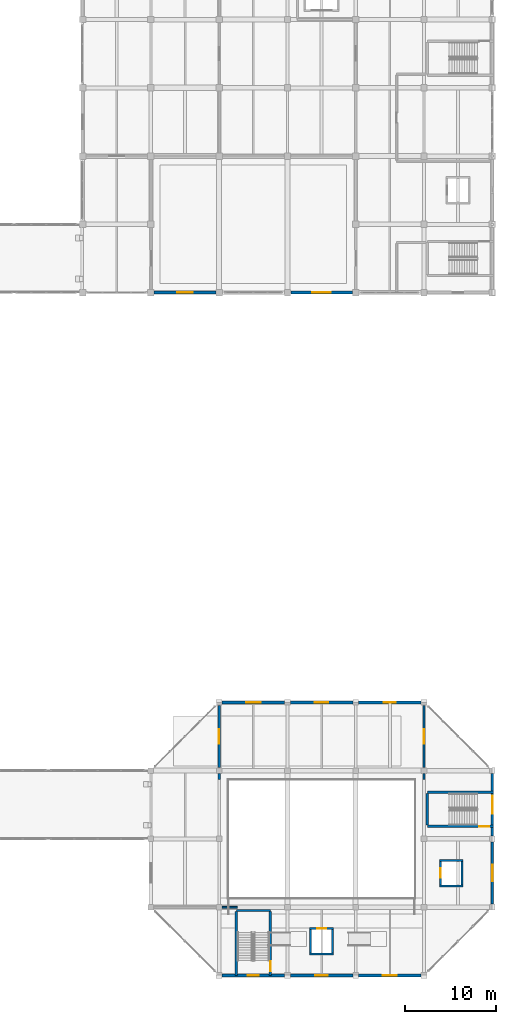
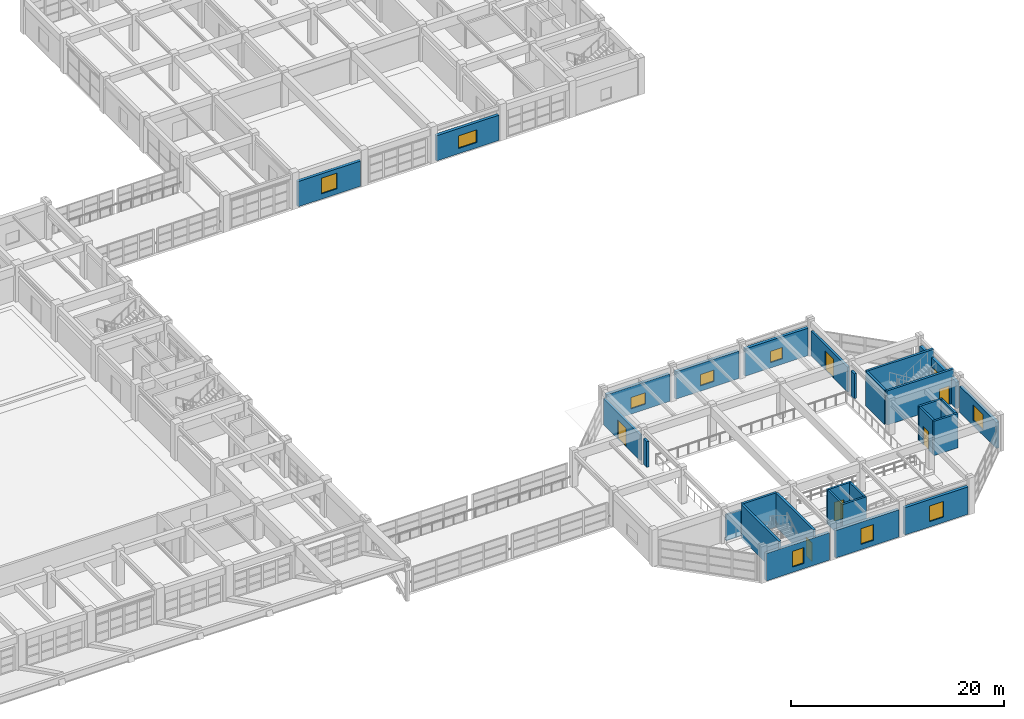
# One storey, part 107 of 132: 29 walls, 10 windows, 6 doors, 16 openings.
"""IFC4 building model written with IfcOpenShell, lengths in metres."""

from ifc_helpers import new_model, si_unit, direction, frame, frame_2d, origin, place, context, subcontext, project, spatial, rectangle, extrude, material, layer, layer_set, type_object, element, fill, save


model = new_model("IFC4")

# Units and contexts
model_context = context("Model", 3, precision=1e-05, world=origin(), true_north=direction((0.0, 1.0)))
body_context = subcontext(model_context, "Body", "Model", "MODEL_VIEW")
ifc_project = project(units=[si_unit("LENGTHUNIT", "METRE"), si_unit("AREAUNIT", "SQUARE_METRE"), si_unit("VOLUMEUNIT", "CUBIC_METRE"), si_unit("PLANEANGLEUNIT", "RADIAN"), si_unit("MASSUNIT", "GRAM", prefix="KILO")], contexts=[model_context])

# Site, building, storey
site_placement = place(None, origin())
site = spatial("IfcSite", under=ifc_project, at=site_placement, CompositionType="ELEMENT")
building_placement = place(site_placement, origin())
building = spatial("IfcBuilding", under=site, at=building_placement, Name="Qasida Concert Hall", CompositionType="ELEMENT")
storey_placement = place(building_placement, frame((0.0, 0.0, 4.800048828125)))
storey = spatial("IfcBuildingStorey", under=building, at=storey_placement, Name="L01", CompositionType="ELEMENT", Elevation=4.800048828125)

# Wall
ifc_material_1 = material(Name="Concrete C40/50", Category="concrete")
ifc_layer_1 = layer(ifc_material_1, 0.219970703125, Name="Concrete C40/50")
ifc_layer_set_1 = layer_set([ifc_layer_1], Name="Concrete C40/50")
wall_type_1 = type_object("IfcWallType", Name="WL-CW-220", PredefinedType="SOLIDWALL", material=ifc_layer_set_1)
wall_1_placement = place(storey_placement, frame((144.93994140625, 2.35009765625, 0.0), z_axis=(0.0, 0.0, 1.0), x_axis=(1.0, 0.0, 0.0)))
element("IfcWall", 1, at=wall_1_placement, inside=storey, type_object=wall_type_1, Name="L01 LF-11 lift shaft wall S", PredefinedType="SOLIDWALL", context=body_context, shape_type="SweptSolid", body=[
    extrude(rectangle(XDim=2.6201171875, YDim=0.219970703125, at=frame_2d((1.31005859375, 0.0))), origin(), (0.0, 0.0, 1.0), 3.919921875),
])

# Wall, opening, door
wall_2_placement = place(storey_placement, frame((144.93994140625, 5.14990234375, 0.0), z_axis=(0.0, 0.0, 1.0), x_axis=(1.0, 0.0, 0.0)))
wall_2 = element("IfcWall", 2, at=wall_2_placement, inside=storey, type_object=wall_type_1, Name="L01 LF-11 lift shaft wall N", PredefinedType="SOLIDWALL", context=body_context, shape_type="SweptSolid", body=[
    extrude(rectangle(XDim=2.6201171875, YDim=0.219970703125, at=frame_2d((1.31005859375, 0.0))), origin(), (0.0, 0.0, 1.0), 3.919921875),
])
opening_1_placement = place(wall_2_placement, frame((0.81005859375, 0.0, 0.0)))
opening_1 = element("IfcOpeningElement", 3, at=opening_1_placement, cuts=wall_2, Name="Opening LD-100", PredefinedType="OPENING", context=body_context, shape_type="SweptSolid", body=[
    extrude(rectangle(XDim=1.0, YDim=2.14990234375, at=frame_2d((0.5, 1.074951171875))), frame((0.0, 0.119873046875, 0.0), z_axis=(0.0, -1.0, 0.0), x_axis=(1.0, 0.0, 0.0)), (0.0, 0.0, 1.0), 0.239990234375),
])
ifc_material_2 = material(Name="Brushed bronze passenger lift landing door", Category="steel")
door_type_1 = type_object("IfcDoorType", Name="LD-100", OperationType="SLIDING_TO_LEFT", PredefinedType="DOOR", material=ifc_material_2)
door_1_placement = place(opening_1_placement, origin())
door_1 = element("IfcDoor", 4, at=door_1_placement, inside=storey, type_object=door_type_1, Name="Lift landing door LF-11 L01", OperationType="SLIDING_TO_LEFT", OverallHeight=2.14990234375, OverallWidth=1.0, PredefinedType="DOOR", context=body_context, shape_type="SweptSolid", body=[
    extrude(rectangle(XDim=1.0, YDim=2.14990234375, at=frame_2d((0.5, 1.074951171875))), frame((0.0, 0.02490234375, 0.0), z_axis=(0.0, -1.0, 0.0), x_axis=(1.0, 0.0, 0.0)), (0.0, 0.0, 1.0), 0.050048828125),
])
fill(opening_1, door_1)

# Walls
for number, where, z_axis, x_axis, name in (
    (5, (145.050048828125, 2.4599609375, 0.0), (0.0, 0.0, 1.0), (0.0, 1.0, 0.0), "L01 LF-11 lift shaft wall W"),
    (6, (147.449951171875, 2.4599609375, 0.0), (0.0, 0.0, 1.0), (0.0, 1.0, 0.0), "L01 LF-11 lift shaft wall E"),
):
    element("IfcWall", number, at=place(storey_placement, frame(where, z_axis=z_axis, x_axis=x_axis)), inside=storey, type_object=wall_type_1, Name=name, PredefinedType="SOLIDWALL", context=body_context, shape_type="SweptSolid", body=[
        extrude(rectangle(XDim=2.580078125, YDim=0.219970703125, at=frame_2d((1.2900390625, 0.0))), origin(), (0.0, 0.0, 1.0), 3.919921875),
    ])
for number, where, z_axis, x_axis, name in (
    (7, (159.18994140625, 9.85009765625, 0.0), (0.0, 0.0, 1.0), (1.0, 0.0, 0.0), "L01 LF-12 lift shaft wall S"),
    (8, (159.18994140625, 12.64990234375, 0.0), (0.0, 0.0, 1.0), (1.0, 0.0, 0.0), "L01 LF-12 lift shaft wall N"),
):
    element("IfcWall", number, at=place(storey_placement, frame(where, z_axis=z_axis, x_axis=x_axis)), inside=storey, type_object=wall_type_1, Name=name, PredefinedType="SOLIDWALL", context=body_context, shape_type="SweptSolid", body=[
        extrude(rectangle(XDim=2.6201171875, YDim=0.219970703125, at=frame_2d((1.31005859375, 0.0))), origin(), (0.0, 0.0, 1.0), 3.919921875),
    ])

# Wall, opening, door
wall_3_placement = place(storey_placement, frame((159.300048828125, 9.9599609375, 0.0), z_axis=(0.0, 0.0, 1.0), x_axis=(0.0, 1.0, 0.0)))
wall_3 = element("IfcWall", 9, at=wall_3_placement, inside=storey, type_object=wall_type_1, Name="L01 LF-12 lift shaft wall W", PredefinedType="SOLIDWALL", context=body_context, shape_type="SweptSolid", body=[
    extrude(rectangle(XDim=2.580078125, YDim=0.219970703125, at=frame_2d((1.2900390625, 0.0))), origin(), (0.0, 0.0, 1.0), 3.919921875),
])
opening_2_placement = place(wall_3_placement, frame((0.7900390625, 0.0, 0.0)))
opening_2 = element("IfcOpeningElement", 10, at=opening_2_placement, cuts=wall_3, Name="Opening LD-100", PredefinedType="OPENING", context=body_context, shape_type="SweptSolid", body=[
    extrude(rectangle(XDim=1.0, YDim=2.14990234375, at=frame_2d((0.5, 1.074951171875))), frame((0.0, 0.119873046875, 0.0), z_axis=(0.0, -1.0, 0.0), x_axis=(1.0, 0.0, 0.0)), (0.0, 0.0, 1.0), 0.239990234375),
])
door_2_placement = place(opening_2_placement, origin())
door_2 = element("IfcDoor", 11, at=door_2_placement, inside=storey, type_object=door_type_1, Name="Lift landing door LF-12 L01", OperationType="SLIDING_TO_LEFT", OverallHeight=2.14990234375, OverallWidth=1.0, PredefinedType="DOOR", context=body_context, shape_type="SweptSolid", body=[
    extrude(rectangle(XDim=1.0, YDim=2.14990234375, at=frame_2d((0.5, 1.074951171875))), frame((0.0, 0.02490234375, 0.0), z_axis=(0.0, -1.0, 0.0), x_axis=(1.0, 0.0, 0.0)), (0.0, 0.0, 1.0), 0.050048828125),
])
fill(opening_2, door_2)

# Walls
wall_4_placement = place(storey_placement, frame((161.699951171875, 9.9599609375, 0.0), z_axis=(0.0, 0.0, 1.0), x_axis=(0.0, 1.0, 0.0)))
element("IfcWall", 12, at=wall_4_placement, inside=storey, type_object=wall_type_1, Name="L01 LF-12 lift shaft wall E", PredefinedType="SOLIDWALL", context=body_context, shape_type="SweptSolid", body=[
    extrude(rectangle(XDim=2.580078125, YDim=0.219970703125, at=frame_2d((1.2900390625, 0.0))), origin(), (0.0, 0.0, 1.0), 3.919921875),
])
ifc_layer_2 = layer(ifc_material_1, 0.25, Name="Concrete C40/50")
ifc_layer_set_2 = layer_set([ifc_layer_2], Name="Concrete C40/50")
wall_type_2 = type_object("IfcWallType", Name="WL-CW-250", PredefinedType="SOLIDWALL", material=ifc_layer_set_2)
wall_5_placement = place(storey_placement, frame((136.8798828125, 7.14501953125, 0.0), z_axis=(0.0, 0.0, 1.0), x_axis=(1.0, 0.0, 0.0)))
element("IfcWall", 13, at=wall_5_placement, inside=storey, type_object=wall_type_2, Name="L01 ST-09 stairwell wall N", PredefinedType="SOLIDWALL", context=body_context, shape_type="SweptSolid", body=[
    extrude(rectangle(XDim=3.740234375, YDim=0.25, at=frame_2d((1.8701171875, 0.0))), origin(), (0.0, 0.0, 1.0), 3.919921875),
])
wall_6_placement = place(storey_placement, frame((136.875, 0.0, 0.0), z_axis=(0.0, 0.0, 1.0), x_axis=(0.0, 1.0, 0.0)))
element("IfcWall", 14, at=wall_6_placement, inside=storey, type_object=wall_type_2, Name="L01 ST-09 stairwell wall W", PredefinedType="SOLIDWALL", context=body_context, shape_type="SweptSolid", body=[
    extrude(rectangle(XDim=7.02001953125, YDim=0.25, at=frame_2d((3.510009765625, 0.0))), origin(), (0.0, 0.0, 1.0), 3.919921875),
])

# Wall, opening, door
wall_7_placement = place(storey_placement, frame((140.625, 0.0, 0.0), z_axis=(0.0, 0.0, 1.0), x_axis=(0.0, 1.0, 0.0)))
wall_7 = element("IfcWall", 15, at=wall_7_placement, inside=storey, type_object=wall_type_2, Name="L01 ST-09 stairwell wall E", PredefinedType="SOLIDWALL", context=body_context, shape_type="SweptSolid", body=[
    extrude(rectangle(XDim=7.02001953125, YDim=0.25, at=frame_2d((3.510009765625, 0.0))), origin(), (0.0, 0.0, 1.0), 3.919921875),
])
opening_3_placement = place(wall_7_placement, frame((0.449951171875, 0.0, 0.0)))
opening_3 = element("IfcOpeningElement", 16, at=opening_3_placement, cuts=wall_7, Name="Opening FD-110", PredefinedType="OPENING", context=body_context, shape_type="SweptSolid", body=[
    extrude(rectangle(XDim=1.10009765625, YDim=2.14990234375, at=frame_2d((0.550048828125, 1.074951171875))), frame((0.0, 0.135009765625, 0.0), z_axis=(0.0, -1.0, 0.0), x_axis=(1.0, 0.0, 0.0)), (0.0, 0.0, 1.0), 0.27001953125),
])
ifc_material_3 = material(Name="Steel fire-rated stair/lobby door set", Category="steel")
door_type_2 = type_object("IfcDoorType", Name="FD-110", OperationType="NOTDEFINED", PredefinedType="DOOR", material=ifc_material_3)
door_3_placement = place(opening_3_placement, origin())
door_3 = element("IfcDoor", 17, at=door_3_placement, inside=storey, type_object=door_type_2, Name="L01 ST-09 rated stair door", OperationType="SINGLE_SWING_RIGHT", OverallHeight=2.14990234375, OverallWidth=1.10009765625, PredefinedType="DOOR", context=body_context, shape_type="SweptSolid", body=[
    extrude(rectangle(XDim=1.10009765625, YDim=2.14990234375, at=frame_2d((0.550048828125, 1.074951171875))), frame((0.0, 0.02490234375, 0.0), z_axis=(0.0, -1.0, 0.0), x_axis=(1.0, 0.0, 0.0)), (0.0, 0.0, 1.0), 0.050048828125),
])
fill(opening_3, door_3)

wall_8_placement = place(storey_placement, frame((157.860107421875, 16.375, 0.0), z_axis=(0.0, 0.0, 1.0), x_axis=(1.0, 0.0, 0.0)))
wall_8 = element("IfcWall", 18, at=wall_8_placement, inside=storey, type_object=wall_type_2, Name="L01 ST-10 stairwell wall S", PredefinedType="SOLIDWALL", context=body_context, shape_type="SweptSolid", body=[
    extrude(rectangle(XDim=7.260009765625, YDim=0.25, at=frame_2d((3.6298828125, 0.0))), origin(), (0.0, 0.0, 1.0), 3.919921875),
])
opening_4_placement = place(wall_8_placement, frame((5.7099609375, 0.0, 0.0)))
opening_4 = element("IfcOpeningElement", 19, at=opening_4_placement, cuts=wall_8, Name="Opening FD-110", PredefinedType="OPENING", context=body_context, shape_type="SweptSolid", body=[
    extrude(rectangle(XDim=1.10009765625, YDim=2.14990234375, at=frame_2d((0.550048828125, 1.074951171875))), frame((0.0, 0.135009765625, 0.0), z_axis=(0.0, -1.0, 0.0), x_axis=(1.0, 0.0, 0.0)), (0.0, 0.0, 1.0), 0.27001953125),
])
door_4_placement = place(opening_4_placement, origin())
door_4 = element("IfcDoor", 20, at=door_4_placement, inside=storey, type_object=door_type_2, Name="L01 ST-10 rated stair door", OperationType="SINGLE_SWING_LEFT", OverallHeight=2.14990234375, OverallWidth=1.10009765625, PredefinedType="DOOR", context=body_context, shape_type="SweptSolid", body=[
    extrude(rectangle(XDim=1.10009765625, YDim=2.14990234375, at=frame_2d((0.550048828125, 1.074951171875))), frame((0.0, 0.02490234375, 0.0), z_axis=(0.0, -1.0, 0.0), x_axis=(1.0, 0.0, 0.0)), (0.0, 0.0, 1.0), 0.050048828125),
])
fill(opening_4, door_4)

# Walls
wall_9_placement = place(storey_placement, frame((157.860107421875, 20.125, 0.0), z_axis=(0.0, 0.0, 1.0), x_axis=(1.0, 0.0, 0.0)))
element("IfcWall", 21, at=wall_9_placement, inside=storey, type_object=wall_type_2, Name="L01 ST-10 stairwell wall N", PredefinedType="SOLIDWALL", context=body_context, shape_type="SweptSolid", body=[
    extrude(rectangle(XDim=7.260009765625, YDim=0.25, at=frame_2d((3.6298828125, 0.0))), origin(), (0.0, 0.0, 1.0), 3.919921875),
])
wall_10_placement = place(storey_placement, frame((157.85498046875, 16.5, 0.0), z_axis=(0.0, 0.0, 1.0), x_axis=(0.0, 1.0, 0.0)))
element("IfcWall", 22, at=wall_10_placement, inside=storey, type_object=wall_type_2, Name="L01 ST-10 stairwell wall W", PredefinedType="SOLIDWALL", context=body_context, shape_type="SweptSolid", body=[
    extrude(rectangle(XDim=3.5, YDim=0.25, at=frame_2d((1.75, 0.0))), origin(), (0.0, 0.0, 1.0), 3.919921875),
])

# Wall, opening, window
ifc_material_4 = material(Name="Precast concrete C40/50", Category="concrete")
ifc_layer_3 = layer(ifc_material_4, 0.320068359375, Name="Precast concrete C40/50")
ifc_layer_set_3 = layer_set([ifc_layer_3], Name="Precast concrete C40/50")
wall_type_3 = type_object("IfcWallType", Name="WL-EW-320", PredefinedType="SOLIDWALL", material=ifc_layer_set_3)
wall_11_placement = place(storey_placement, frame((135.324951171875, 0.0, 0.0), z_axis=(0.0, 0.0, 1.0), x_axis=(1.0, 0.0, 0.0)))
wall_11 = element("IfcWall", 23, at=wall_11_placement, inside=storey, type_object=wall_type_3, Name="L01 exterior wall EW-320 0155", PredefinedType="SOLIDWALL", context=body_context, shape_type="SweptSolid", body=[
    extrude(rectangle(XDim=6.85009765625, YDim=0.320068359375, at=frame_2d((3.425048828125, 0.0))), origin(), (0.0, 0.0, 1.0), 3.139892578125),
])
opening_5_placement = place(wall_11_placement, frame((2.800048828125, 0.0, 0.60009765625)))
opening_5 = element("IfcOpeningElement", 24, at=opening_5_placement, cuts=wall_11, Name="Opening WN-02", PredefinedType="OPENING", context=body_context, shape_type="SweptSolid", body=[
    extrude(rectangle(XDim=1.25, YDim=1.800048828125, at=frame_2d((0.625, 0.89990234375))), frame((0.0, 0.169921875, 0.0), z_axis=(0.0, -1.0, 0.0), x_axis=(1.0, 0.0, 0.0)), (0.0, 0.0, 1.0), 0.340087890625),
])
ifc_material_5 = material(Name="Bronze-anodized aluminium frame with acoustic low-E glazing", Category="aluminium")
window_type_1 = type_object("IfcWindowType", Name="WN-02", PartitioningType="SINGLE_PANEL", PredefinedType="WINDOW", material=ifc_material_5)
window_1_placement = place(opening_5_placement, origin())
window_1 = element("IfcWindow", 25, at=window_1_placement, inside=storey, type_object=window_type_1, Name="L01 window WN-02 0065", OverallHeight=1.800048828125, OverallWidth=1.25, PartitioningType="SINGLE_PANEL", PredefinedType="WINDOW", context=body_context, shape_type="SweptSolid", body=[
    extrude(rectangle(XDim=1.25, YDim=1.800048828125, at=frame_2d((0.625, 0.89990234375))), frame((0.0, 0.030029296875, 0.0), z_axis=(0.0, -1.0, 0.0), x_axis=(1.0, 0.0, 0.0)), (0.0, 0.0, 1.0), 0.06005859375),
])
fill(opening_5, window_1)

wall_12_placement = place(storey_placement, frame((142.824951171875, 0.0, 0.0), z_axis=(0.0, 0.0, 1.0), x_axis=(1.0, 0.0, 0.0)))
wall_12 = element("IfcWall", 26, at=wall_12_placement, inside=storey, type_object=wall_type_3, Name="L01 exterior wall EW-320 0156", PredefinedType="SOLIDWALL", context=body_context, shape_type="SweptSolid", body=[
    extrude(rectangle(XDim=6.85009765625, YDim=0.320068359375, at=frame_2d((3.425048828125, 0.0))), origin(), (0.0, 0.0, 1.0), 3.139892578125),
])
opening_6_placement = place(wall_12_placement, frame((2.72509765625, 0.0, 0.60009765625)))
opening_6 = element("IfcOpeningElement", 27, at=opening_6_placement, cuts=wall_12, Name="Opening WN-03", PredefinedType="OPENING", context=body_context, shape_type="SweptSolid", body=[
    extrude(rectangle(XDim=1.39990234375, YDim=1.800048828125, at=frame_2d((0.699951171875, 0.89990234375))), frame((0.0, 0.169921875, 0.0), z_axis=(0.0, -1.0, 0.0), x_axis=(1.0, 0.0, 0.0)), (0.0, 0.0, 1.0), 0.340087890625),
])
window_type_2 = type_object("IfcWindowType", Name="WN-03", PartitioningType="SINGLE_PANEL", PredefinedType="WINDOW", material=ifc_material_5)
window_2_placement = place(opening_6_placement, origin())
window_2 = element("IfcWindow", 28, at=window_2_placement, inside=storey, type_object=window_type_2, Name="L01 window WN-03 0066", OverallHeight=1.800048828125, OverallWidth=1.39990234375, PartitioningType="SINGLE_PANEL", PredefinedType="WINDOW", context=body_context, shape_type="SweptSolid", body=[
    extrude(rectangle(XDim=1.39990234375, YDim=1.800048828125, at=frame_2d((0.699951171875, 0.89990234375))), frame((0.0, 0.030029296875, 0.0), z_axis=(0.0, -1.0, 0.0), x_axis=(1.0, 0.0, 0.0)), (0.0, 0.0, 1.0), 0.06005859375),
])
fill(opening_6, window_2)

wall_13_placement = place(storey_placement, frame((150.324951171875, 0.0, 0.0), z_axis=(0.0, 0.0, 1.0), x_axis=(1.0, 0.0, 0.0)))
wall_13 = element("IfcWall", 29, at=wall_13_placement, inside=storey, type_object=wall_type_3, Name="L01 exterior wall EW-320 0157", PredefinedType="SOLIDWALL", context=body_context, shape_type="SweptSolid", body=[
    extrude(rectangle(XDim=6.85009765625, YDim=0.320068359375, at=frame_2d((3.425048828125, 0.0))), origin(), (0.0, 0.0, 1.0), 3.139892578125),
])
opening_7_placement = place(wall_13_placement, frame((2.64990234375, 0.0, 0.60009765625)))
opening_7 = element("IfcOpeningElement", 30, at=opening_7_placement, cuts=wall_13, Name="Opening WN-04", PredefinedType="OPENING", context=body_context, shape_type="SweptSolid", body=[
    extrude(rectangle(XDim=1.550048828125, YDim=1.800048828125, at=frame_2d((0.77490234375, 0.89990234375))), frame((0.0, 0.169921875, 0.0), z_axis=(0.0, -1.0, 0.0), x_axis=(1.0, 0.0, 0.0)), (0.0, 0.0, 1.0), 0.340087890625),
])
window_type_3 = type_object("IfcWindowType", Name="WN-04", PartitioningType="SINGLE_PANEL", PredefinedType="WINDOW", material=ifc_material_5)
window_3_placement = place(opening_7_placement, origin())
window_3 = element("IfcWindow", 31, at=window_3_placement, inside=storey, type_object=window_type_3, Name="L01 window WN-04 0067", OverallHeight=1.800048828125, OverallWidth=1.550048828125, PartitioningType="SINGLE_PANEL", PredefinedType="WINDOW", context=body_context, shape_type="SweptSolid", body=[
    extrude(rectangle(XDim=1.550048828125, YDim=1.800048828125, at=frame_2d((0.77490234375, 0.89990234375))), frame((0.0, 0.030029296875, 0.0), z_axis=(0.0, -1.0, 0.0), x_axis=(1.0, 0.0, 0.0)), (0.0, 0.0, 1.0), 0.06005859375),
])
fill(opening_7, window_3)

wall_14_placement = place(storey_placement, frame((165.0, 7.824951171875, 0.0), z_axis=(0.0, 0.0, 1.0), x_axis=(0.0, 1.0, 0.0)))
wall_14 = element("IfcWall", 32, at=wall_14_placement, inside=storey, type_object=wall_type_3, Name="L01 exterior wall EW-320 0158", PredefinedType="SOLIDWALL", context=body_context, shape_type="SweptSolid", body=[
    extrude(rectangle(XDim=6.85009765625, YDim=0.320068359375, at=frame_2d((3.425048828125, 0.0))), origin(), (0.0, 0.0, 1.0), 2.989990234375),
])
opening_8_placement = place(wall_14_placement, frame((2.5, 0.0, 0.60009765625)))
opening_8 = element("IfcOpeningElement", 33, at=opening_8_placement, cuts=wall_14, Name="Opening WN-06", PredefinedType="OPENING", context=body_context, shape_type="SweptSolid", body=[
    extrude(rectangle(XDim=1.85009765625, YDim=1.800048828125, at=frame_2d((0.925048828125, 0.89990234375))), frame((0.0, 0.169921875, 0.0), z_axis=(0.0, -1.0, 0.0), x_axis=(1.0, 0.0, 0.0)), (0.0, 0.0, 1.0), 0.340087890625),
])
window_type_4 = type_object("IfcWindowType", Name="WN-06", PartitioningType="SINGLE_PANEL", PredefinedType="WINDOW", material=ifc_material_5)
window_4_placement = place(opening_8_placement, origin())
window_4 = element("IfcWindow", 34, at=window_4_placement, inside=storey, type_object=window_type_4, Name="L01 window WN-06 0068", OverallHeight=1.800048828125, OverallWidth=1.85009765625, PartitioningType="SINGLE_PANEL", PredefinedType="WINDOW", context=body_context, shape_type="SweptSolid", body=[
    extrude(rectangle(XDim=1.85009765625, YDim=1.800048828125, at=frame_2d((0.925048828125, 0.89990234375))), frame((0.0, 0.030029296875, 0.0), z_axis=(0.0, -1.0, 0.0), x_axis=(1.0, 0.0, 0.0)), (0.0, 0.0, 1.0), 0.06005859375),
])
fill(opening_8, window_4)

wall_15_placement = place(storey_placement, frame((165.0, 15.324951171875, 0.0), z_axis=(0.0, 0.0, 1.0), x_axis=(0.0, 1.0, 0.0)))
wall_15 = element("IfcWall", 35, at=wall_15_placement, inside=storey, type_object=wall_type_3, Name="L01 exterior wall EW-320 0159", PredefinedType="SOLIDWALL", context=body_context, shape_type="SweptSolid", body=[
    extrude(rectangle(XDim=6.860107421875, YDim=0.320068359375, at=frame_2d((3.43017578125, 0.0))), origin(), (0.0, 0.0, 1.0), 3.0400390625),
])
opening_9_placement = place(wall_15_placement, frame((2.425048828125, 0.0, 0.60009765625)))
opening_9 = element("IfcOpeningElement", 36, at=opening_9_placement, cuts=wall_15, Name="Opening WN-07", PredefinedType="OPENING", context=body_context, shape_type="SweptSolid", body=[
    extrude(rectangle(XDim=2.0, YDim=1.449951171875, at=frame_2d((1.0, 0.72509765625))), frame((0.0, 0.169921875, 0.0), z_axis=(0.0, -1.0, 0.0), x_axis=(1.0, 0.0, 0.0)), (0.0, 0.0, 1.0), 0.340087890625),
])
window_type_5 = type_object("IfcWindowType", Name="WN-07", PartitioningType="SINGLE_PANEL", PredefinedType="WINDOW", material=ifc_material_5)
window_5_placement = place(opening_9_placement, origin())
window_5 = element("IfcWindow", 37, at=window_5_placement, inside=storey, type_object=window_type_5, Name="L01 window WN-07 0069", OverallHeight=1.449951171875, OverallWidth=2.0, PartitioningType="SINGLE_PANEL", PredefinedType="WINDOW", context=body_context, shape_type="SweptSolid", body=[
    extrude(rectangle(XDim=2.0, YDim=1.449951171875, at=frame_2d((1.0, 0.72509765625))), frame((0.0, 0.030029296875, 0.0), z_axis=(0.0, -1.0, 0.0), x_axis=(1.0, 0.0, 0.0)), (0.0, 0.0, 1.0), 0.06005859375),
])
fill(opening_9, window_5)

wall_16_placement = place(storey_placement, frame((157.175048828125, 30.0, 0.0), z_axis=(0.0, 0.0, 1.0), x_axis=(-1.0, 0.0, 0.0)))
wall_16 = element("IfcWall", 38, at=wall_16_placement, inside=storey, type_object=wall_type_3, Name="L01 exterior wall EW-320 0160", PredefinedType="SOLIDWALL", context=body_context, shape_type="SweptSolid", body=[
    extrude(rectangle(XDim=6.85009765625, YDim=0.320068359375, at=frame_2d((3.425048828125, 0.0))), origin(), (0.0, 0.0, 1.0), 3.139892578125),
])
opening_10_placement = place(wall_16_placement, frame((2.77490234375, 0.0, 0.60009765625)))
opening_10 = element("IfcOpeningElement", 39, at=opening_10_placement, cuts=wall_16, Name="Opening WN-10", PredefinedType="OPENING", context=body_context, shape_type="SweptSolid", body=[
    extrude(rectangle(XDim=1.300048828125, YDim=1.300048828125, at=frame_2d((0.64990234375, 0.64990234375))), frame((0.0, 0.169921875, 0.0), z_axis=(0.0, -1.0, 0.0), x_axis=(1.0, 0.0, 0.0)), (0.0, 0.0, 1.0), 0.340087890625),
])
window_type_6 = type_object("IfcWindowType", Name="WN-10", PartitioningType="SINGLE_PANEL", PredefinedType="WINDOW", material=ifc_material_5)
window_6_placement = place(opening_10_placement, origin())
window_6 = element("IfcWindow", 40, at=window_6_placement, inside=storey, type_object=window_type_6, Name="L01 window WN-10 0070", OverallHeight=1.300048828125, OverallWidth=1.300048828125, PartitioningType="SINGLE_PANEL", PredefinedType="WINDOW", context=body_context, shape_type="SweptSolid", body=[
    extrude(rectangle(XDim=1.300048828125, YDim=1.300048828125, at=frame_2d((0.64990234375, 0.64990234375))), frame((0.0, 0.030029296875, 0.0), z_axis=(0.0, -1.0, 0.0), x_axis=(1.0, 0.0, 0.0)), (0.0, 0.0, 1.0), 0.06005859375),
])
fill(opening_10, window_6)

wall_17_placement = place(storey_placement, frame((149.675048828125, 30.0, 0.0), z_axis=(0.0, 0.0, 1.0), x_axis=(-1.0, 0.0, 0.0)))
wall_17 = element("IfcWall", 41, at=wall_17_placement, inside=storey, type_object=wall_type_3, Name="L01 exterior wall EW-320 0161", PredefinedType="SOLIDWALL", context=body_context, shape_type="SweptSolid", body=[
    extrude(rectangle(XDim=6.85009765625, YDim=0.320068359375, at=frame_2d((3.425048828125, 0.0))), origin(), (0.0, 0.0, 1.0), 3.139892578125),
])
opening_11_placement = place(wall_17_placement, frame((2.699951171875, 0.0, 0.60009765625)))
opening_11 = element("IfcOpeningElement", 42, at=opening_11_placement, cuts=wall_17, Name="Opening WN-11", PredefinedType="OPENING", context=body_context, shape_type="SweptSolid", body=[
    extrude(rectangle(XDim=1.449951171875, YDim=1.300048828125, at=frame_2d((0.72509765625, 0.64990234375))), frame((0.0, 0.169921875, 0.0), z_axis=(0.0, -1.0, 0.0), x_axis=(1.0, 0.0, 0.0)), (0.0, 0.0, 1.0), 0.340087890625),
])
window_type_7 = type_object("IfcWindowType", Name="WN-11", PartitioningType="SINGLE_PANEL", PredefinedType="WINDOW", material=ifc_material_5)
window_7_placement = place(opening_11_placement, origin())
window_7 = element("IfcWindow", 43, at=window_7_placement, inside=storey, type_object=window_type_7, Name="L01 window WN-11 0071", OverallHeight=1.300048828125, OverallWidth=1.449951171875, PartitioningType="SINGLE_PANEL", PredefinedType="WINDOW", context=body_context, shape_type="SweptSolid", body=[
    extrude(rectangle(XDim=1.449951171875, YDim=1.300048828125, at=frame_2d((0.72509765625, 0.64990234375))), frame((0.0, 0.030029296875, 0.0), z_axis=(0.0, -1.0, 0.0), x_axis=(1.0, 0.0, 0.0)), (0.0, 0.0, 1.0), 0.06005859375),
])
fill(opening_11, window_7)

wall_18_placement = place(storey_placement, frame((142.175048828125, 30.0, 0.0), z_axis=(0.0, 0.0, 1.0), x_axis=(-1.0, 0.0, 0.0)))
wall_18 = element("IfcWall", 44, at=wall_18_placement, inside=storey, type_object=wall_type_3, Name="L01 exterior wall EW-320 0162", PredefinedType="SOLIDWALL", context=body_context, shape_type="SweptSolid", body=[
    extrude(rectangle(XDim=6.85009765625, YDim=0.320068359375, at=frame_2d((3.425048828125, 0.0))), origin(), (0.0, 0.0, 1.0), 3.139892578125),
])
opening_12_placement = place(wall_18_placement, frame((2.625, 0.0, 0.60009765625)))
opening_12 = element("IfcOpeningElement", 45, at=opening_12_placement, cuts=wall_18, Name="Opening WN-12", PredefinedType="OPENING", context=body_context, shape_type="SweptSolid", body=[
    extrude(rectangle(XDim=1.60009765625, YDim=1.300048828125, at=frame_2d((0.800048828125, 0.64990234375))), frame((0.0, 0.169921875, 0.0), z_axis=(0.0, -1.0, 0.0), x_axis=(1.0, 0.0, 0.0)), (0.0, 0.0, 1.0), 0.340087890625),
])
window_type_8 = type_object("IfcWindowType", Name="WN-12", PartitioningType="SINGLE_PANEL", PredefinedType="WINDOW", material=ifc_material_5)
window_8_placement = place(opening_12_placement, origin())
window_8 = element("IfcWindow", 46, at=window_8_placement, inside=storey, type_object=window_type_8, Name="L01 window WN-12 0072", OverallHeight=1.300048828125, OverallWidth=1.60009765625, PartitioningType="SINGLE_PANEL", PredefinedType="WINDOW", context=body_context, shape_type="SweptSolid", body=[
    extrude(rectangle(XDim=1.60009765625, YDim=1.300048828125, at=frame_2d((0.800048828125, 0.64990234375))), frame((0.0, 0.030029296875, 0.0), z_axis=(0.0, -1.0, 0.0), x_axis=(1.0, 0.0, 0.0)), (0.0, 0.0, 1.0), 0.06005859375),
])
fill(opening_12, window_8)

wall_19_placement = place(storey_placement, frame((127.85498046875, 75.0, 0.0), z_axis=(0.0, 0.0, 1.0), x_axis=(1.0, 0.0, 0.0)))
wall_19 = element("IfcWall", 47, at=wall_19_placement, inside=storey, type_object=wall_type_3, Name="L01 exterior wall EW-320 0186", PredefinedType="SOLIDWALL", context=body_context, shape_type="SweptSolid", body=[
    extrude(rectangle(XDim=6.780029296875, YDim=0.320068359375, at=frame_2d((3.39013671875, 0.0))), origin(), (0.0, 0.0, 1.0), 2.889892578125),
])
opening_13_placement = place(wall_19_placement, frame((2.544921875, 0.0, 0.60009765625)))
opening_13 = element("IfcOpeningElement", 48, at=opening_13_placement, cuts=wall_19, Name="Opening WN-05", PredefinedType="OPENING", context=body_context, shape_type="SweptSolid", body=[
    extrude(rectangle(XDim=1.699951171875, YDim=1.800048828125, at=frame_2d((0.85009765625, 0.89990234375))), frame((0.0, 0.169921875, 0.0), z_axis=(0.0, -1.0, 0.0), x_axis=(1.0, 0.0, 0.0)), (0.0, 0.0, 1.0), 0.340087890625),
])
window_type_9 = type_object("IfcWindowType", Name="WN-05", PartitioningType="SINGLE_PANEL", PredefinedType="WINDOW", material=ifc_material_5)
window_9_placement = place(opening_13_placement, origin())
window_9 = element("IfcWindow", 49, at=window_9_placement, inside=storey, type_object=window_type_9, Name="L01 window WN-05 0091", OverallHeight=1.800048828125, OverallWidth=1.699951171875, PartitioningType="SINGLE_PANEL", PredefinedType="WINDOW", context=body_context, shape_type="SweptSolid", body=[
    extrude(rectangle(XDim=1.699951171875, YDim=1.800048828125, at=frame_2d((0.85009765625, 0.89990234375))), frame((0.0, 0.030029296875, 0.0), z_axis=(0.0, -1.0, 0.0), x_axis=(1.0, 0.0, 0.0)), (0.0, 0.0, 1.0), 0.06005859375),
])
fill(opening_13, window_9)

wall_20_placement = place(storey_placement, frame((142.864990234375, 75.0, 0.0), z_axis=(0.0, 0.0, 1.0), x_axis=(1.0, 0.0, 0.0)))
wall_20 = element("IfcWall", 50, at=wall_20_placement, inside=storey, type_object=wall_type_3, Name="L01 exterior wall EW-320 0189", PredefinedType="SOLIDWALL", context=body_context, shape_type="SweptSolid", body=[
    extrude(rectangle(XDim=6.77001953125, YDim=0.320068359375, at=frame_2d((3.385009765625, 0.0))), origin(), (0.0, 0.0, 1.0), 2.889892578125),
])
opening_14_placement = place(wall_20_placement, frame((2.385009765625, 0.0, 0.60009765625)))
opening_14 = element("IfcOpeningElement", 51, at=opening_14_placement, cuts=wall_20, Name="Opening WN-07", PredefinedType="OPENING", context=body_context, shape_type="SweptSolid", body=[
    extrude(rectangle(XDim=2.0, YDim=1.449951171875, at=frame_2d((1.0, 0.72509765625))), frame((0.0, 0.169921875, 0.0), z_axis=(0.0, -1.0, 0.0), x_axis=(1.0, 0.0, 0.0)), (0.0, 0.0, 1.0), 0.340087890625),
])
window_10_placement = place(opening_14_placement, origin())
window_10 = element("IfcWindow", 52, at=window_10_placement, inside=storey, type_object=window_type_5, Name="L01 window WN-07 0094", OverallHeight=1.449951171875, OverallWidth=2.0, PartitioningType="SINGLE_PANEL", PredefinedType="WINDOW", context=body_context, shape_type="SweptSolid", body=[
    extrude(rectangle(XDim=2.0, YDim=1.449951171875, at=frame_2d((1.0, 0.72509765625))), frame((0.0, 0.030029296875, 0.0), z_axis=(0.0, -1.0, 0.0), x_axis=(1.0, 0.0, 0.0)), (0.0, 0.0, 1.0), 0.06005859375),
])
fill(opening_14, window_10)

# Walls
ifc_material_6 = material(Name="Acoustic gypsum block and mineral wool", Category="gypsum")
ifc_layer_4 = layer(ifc_material_6, 0.199951171875, Name="Acoustic gypsum block and mineral wool")
ifc_layer_set_4 = layer_set([ifc_layer_4], Name="Acoustic gypsum block and mineral wool")
wall_type_4 = type_object("IfcWallType", Name="WL-PW-200", PredefinedType="PARTITIONING", material=ifc_layer_set_4)
wall_21_placement = place(storey_placement, frame((135.323974609375, 7.5, 0.0), z_axis=(0.0, 0.0, 1.0), x_axis=(1.0, 0.0, 0.0)))
element("IfcWall", 53, at=wall_21_placement, inside=storey, type_object=wall_type_4, Name="L01 partition PW-200 0593", PredefinedType="PARTITIONING", context=body_context, shape_type="SweptSolid", body=[
    extrude(rectangle(XDim=1.676025390625, YDim=0.199951171875, at=frame_2d((0.837890625, 0.0))), origin(), (0.0, 0.0, 1.0), 2.989990234375),
])
ifc_material_7 = material(Name="Double-stud acoustic gypsum and mineral wool", Category="gypsum")
ifc_layer_5 = layer(ifc_material_7, 0.239990234375, Name="Double-stud acoustic gypsum and mineral wool")
ifc_layer_set_5 = layer_set([ifc_layer_5], Name="Double-stud acoustic gypsum and mineral wool")
wall_type_5 = type_object("IfcWallType", Name="WL-PW-240", PredefinedType="PARTITIONING", material=ifc_layer_set_5)
wall_22_placement = place(storey_placement, frame((135.0, 21.5400390625, 0.0), z_axis=(0.0, 0.0, 1.0), x_axis=(0.0, 1.0, 0.0)))
element("IfcWall", 54, at=wall_22_placement, inside=storey, type_object=wall_type_5, Name="L01 partition PW-240 0594", PredefinedType="PARTITIONING", context=body_context, shape_type="SweptSolid", body=[
    extrude(rectangle(XDim=0.635986328125, YDim=0.239990234375, at=frame_2d((0.31787109375, 0.0))), origin(), (0.0, 0.0, 1.0), 2.93994140625),
])

# Wall, opening, door
wall_23_placement = place(storey_placement, frame((135.0, 22.823974609375, 0.0), z_axis=(0.0, 0.0, 1.0), x_axis=(0.0, 1.0, 0.0)))
wall_23 = element("IfcWall", 55, at=wall_23_placement, inside=storey, type_object=wall_type_5, Name="L01 partition PW-240 0595", PredefinedType="PARTITIONING", context=body_context, shape_type="SweptSolid", body=[
    extrude(rectangle(XDim=6.85205078125, YDim=0.239990234375, at=frame_2d((3.426025390625, 0.0))), origin(), (0.0, 0.0, 1.0), 2.93994140625),
])
opening_15_placement = place(wall_23_placement, frame((2.6259765625, 0.0, 0.0)))
opening_15 = element("IfcOpeningElement", 56, at=opening_15_placement, cuts=wall_23, Name="Opening AD-160", PredefinedType="OPENING", context=body_context, shape_type="SweptSolid", body=[
    extrude(rectangle(XDim=1.60009765625, YDim=2.159912109375, at=frame_2d((0.800048828125, 1.080078125))), frame((0.0, 0.1298828125, 0.0), z_axis=(0.0, -1.0, 0.0), x_axis=(1.0, 0.0, 0.0)), (0.0, 0.0, 1.0), 0.260009765625),
])
ifc_material_8 = material(Name="Double-seal Rw 50 dB rehearsal hall door", Category="wood")
door_type_3 = type_object("IfcDoorType", Name="AD-160", OperationType="NOTDEFINED", PredefinedType="DOOR", material=ifc_material_8)
door_5_placement = place(opening_15_placement, origin())
door_5 = element("IfcDoor", 57, at=door_5_placement, inside=storey, type_object=door_type_3, Name="L01 Chamber north balcony west door", OperationType="SINGLE_SWING_RIGHT", OverallHeight=2.159912109375, OverallWidth=1.60009765625, PredefinedType="DOOR", context=body_context, shape_type="SweptSolid", body=[
    extrude(rectangle(XDim=1.60009765625, YDim=2.159912109375, at=frame_2d((0.800048828125, 1.080078125))), frame((0.0, 0.02490234375, 0.0), z_axis=(0.0, -1.0, 0.0), x_axis=(1.0, 0.0, 0.0)), (0.0, 0.0, 1.0), 0.050048828125),
])
fill(opening_15, door_5)

# Wall
wall_24_placement = place(storey_placement, frame((157.5, 21.5400390625, 0.0), z_axis=(0.0, 0.0, 1.0), x_axis=(0.0, 1.0, 0.0)))
element("IfcWall", 58, at=wall_24_placement, inside=storey, type_object=wall_type_5, Name="L01 partition PW-240 0596", PredefinedType="PARTITIONING", context=body_context, shape_type="SweptSolid", body=[
    extrude(rectangle(XDim=0.635986328125, YDim=0.239990234375, at=frame_2d((0.31787109375, 0.0))), origin(), (0.0, 0.0, 1.0), 2.83984375),
])

# Wall, opening, door
wall_25_placement = place(storey_placement, frame((157.5, 22.823974609375, 0.0), z_axis=(0.0, 0.0, 1.0), x_axis=(0.0, 1.0, 0.0)))
wall_25 = element("IfcWall", 59, at=wall_25_placement, inside=storey, type_object=wall_type_5, Name="L01 partition PW-240 0597", PredefinedType="PARTITIONING", context=body_context, shape_type="SweptSolid", body=[
    extrude(rectangle(XDim=6.85205078125, YDim=0.239990234375, at=frame_2d((3.426025390625, 0.0))), origin(), (0.0, 0.0, 1.0), 2.83984375),
])
opening_16_placement = place(wall_25_placement, frame((2.6259765625, 0.0, 0.0)))
opening_16 = element("IfcOpeningElement", 60, at=opening_16_placement, cuts=wall_25, Name="Opening AD-160", PredefinedType="OPENING", context=body_context, shape_type="SweptSolid", body=[
    extrude(rectangle(XDim=1.60009765625, YDim=2.159912109375, at=frame_2d((0.800048828125, 1.080078125))), frame((0.0, 0.1298828125, 0.0), z_axis=(0.0, -1.0, 0.0), x_axis=(1.0, 0.0, 0.0)), (0.0, 0.0, 1.0), 0.260009765625),
])
door_6_placement = place(opening_16_placement, origin())
door_6 = element("IfcDoor", 61, at=door_6_placement, inside=storey, type_object=door_type_3, Name="L01 Chamber north balcony east door", OperationType="SINGLE_SWING_LEFT", OverallHeight=2.159912109375, OverallWidth=1.60009765625, PredefinedType="DOOR", context=body_context, shape_type="SweptSolid", body=[
    extrude(rectangle(XDim=1.60009765625, YDim=2.159912109375, at=frame_2d((0.800048828125, 1.080078125))), frame((0.0, 0.02490234375, 0.0), z_axis=(0.0, -1.0, 0.0), x_axis=(1.0, 0.0, 0.0)), (0.0, 0.0, 1.0), 0.050048828125),
])
fill(opening_16, door_6)

save(model, "model.ifc")
